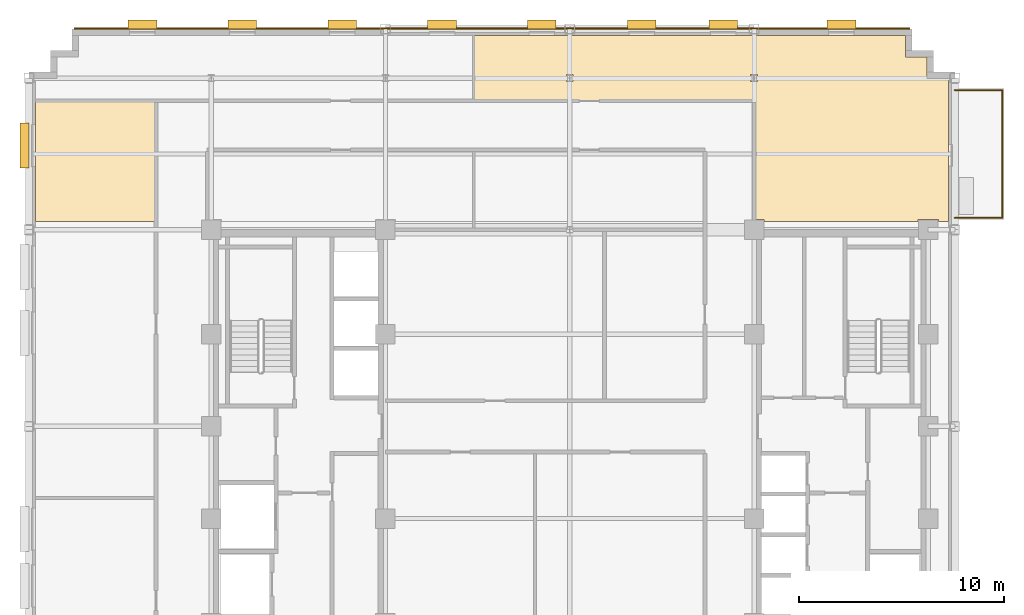
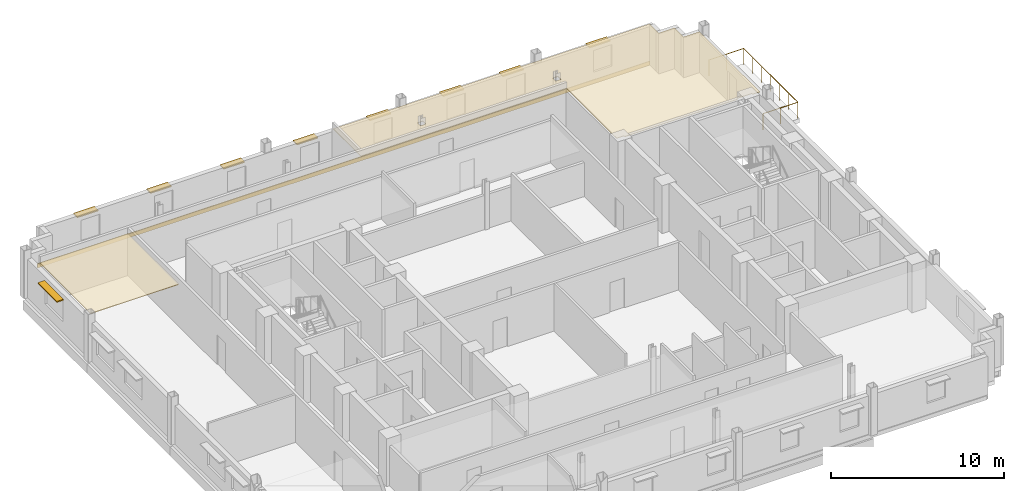
# One storey, part 13 of 13: 9 shading devices, 3 coverings, 1 railing.
"""IFC4 building model written with IfcOpenShell, lengths in metres."""

from ifc_helpers import new_model, si_unit, direction, frame, origin, origin_2d, place, context, subcontext, project, spatial, polyline, rectangle, circle, outline, extrude, source, transform, mapped, material, layer, layer_set, type_object, type_shapes, element, save


model = new_model("IFC4")

# Units and contexts
model_context = context("Model", 3, precision=1e-05, world=origin(), true_north=direction((0.0, 1.0)))
body_context = subcontext(model_context, "Body", "Model", "MODEL_VIEW")
ifc_project = project(units=[si_unit("LENGTHUNIT", "METRE"), si_unit("AREAUNIT", "SQUARE_METRE"), si_unit("VOLUMEUNIT", "CUBIC_METRE"), si_unit("PLANEANGLEUNIT", "RADIAN"), si_unit("MASSUNIT", "GRAM", prefix="KILO")], contexts=[model_context])

# Site, building, storey
site_placement = place(None, origin())
site = spatial("IfcSite", under=ifc_project, at=site_placement, CompositionType="ELEMENT")
building_placement = place(site_placement, origin())
building = spatial("IfcBuilding", under=site, at=building_placement, Name="Nuvemarco Arch Tower", CompositionType="ELEMENT")
storey_placement = place(building_placement, frame((0.0, 0.0, 216.449951171875)))
storey = spatial("IfcBuildingStorey", under=building, at=storey_placement, Name="L57", CompositionType="ELEMENT", Elevation=216.449951171875)

# Coverings
ifc_material_1 = material(Name="Mineral acoustic ceiling tile")
ifc_layer_1 = layer(ifc_material_1, 0.0400390625, Name="COV-ACOUSTIC-CLG")
ifc_layer_set_1 = layer_set([ifc_layer_1], Name="Mineral acoustic ceiling tile")
covering_type_1 = type_object("IfcCoveringType", Name="COV-ACOUSTIC-CLG", PredefinedType="CEILING", material=ifc_layer_set_1)
covering_1_placement = place(storey_placement, frame((0.0, 0.0, 2.85009765625)))
element("IfcCovering", 1, at=covering_1_placement, inside=storey, type_object=covering_type_1, Name="L57 suspended acoustic ceiling 2", PredefinedType="CEILING", context=body_context, shape_type="SweptSolid", body=[
    extrude(outline(polyline([(18.489990234375, 16.989990234375), (18.489990234375, 10.0), (17.989990234375, 10.0), (17.989990234375, 10.090087890625), (17.010009765625, 10.090087890625), (17.010009765625, 10.0), (9.489990234375, 10.0), (9.489990234375, 10.090087890625), (9.0, 10.090087890625), (9.0, 13.5), (9.0, 15.89990234375), (6.60009765625, 15.89990234375), (-4.68994140625, 15.89990234375), (-4.68994140625, 19.090087890625), (16.389892578125, 19.090087890625), (16.389892578125, 18.0400390625), (17.43994140625, 18.0400390625), (17.43994140625, 16.989990234375), (18.489990234375, 16.989990234375)]), holes=[polyline([(0.169921875, 16.830078125), (0.169921875, 17.169921875), (-0.169921875, 17.169921875), (-0.169921875, 16.830078125), (0.169921875, 16.830078125)]), polyline([(9.169921875, 17.169921875), (8.830078125, 17.169921875), (8.830078125, 16.830078125), (9.169921875, 16.830078125), (9.169921875, 17.169921875)])]), origin(), (0.0, 0.0, 1.0), 0.0400390625),
])
covering_2_placement = place(storey_placement, frame((0.0, 0.0, 2.85009765625)))
element("IfcCovering", 2, at=covering_2_placement, inside=storey, type_object=covering_type_1, Name="L57 suspended acoustic ceiling 3", PredefinedType="CEILING", context=body_context, shape_type="SweptSolid", body=[
    extrude(outline(polyline([(-20.199951171875, 10.0), (-26.090087890625, 10.0), (-26.090087890625, 15.89990234375), (-20.199951171875, 15.89990234375), (-20.199951171875, 13.5), (-20.199951171875, 10.0)])), origin(), (0.0, 0.0, 1.0), 0.0400390625),
])

# Railing
ifc_material_2 = material(Name="Dark anodised balustrade steel S355", Category="steel")
railing_type = type_object("IfcRailingType", Name="RL-TERR-GUARD", PredefinedType="BALUSTRADE", material=ifc_material_2)
railing_placement = place(storey_placement, frame((18.800048828125, 10.179931640625, 0.0)))
element("IfcRailing", 3, at=railing_placement, inside=storey, type_object=railing_type, Name="L57 spiral terrace perimeter balustrade guard", PredefinedType="BALUSTRADE", context=body_context, shape_type="SweptSolid", body=[
    extrude(circle(Radius=0.02392578125, at=origin_2d()), frame((0.0, 0.0, 1.1259765625), z_axis=(1.0, 0.0, 0.0), x_axis=(0.0, 1.0, 0.0)), (0.0, 0.0, 1.0), 2.320068359375),
    extrude(circle(Radius=0.02392578125, at=origin_2d()), frame((2.320068359375, 0.0, 1.1259765625), z_axis=(0.0, 1.0, 0.0), x_axis=(-1.0, 0.0, 0.0)), (0.0, 0.0, 1.0), 6.239990234375),
    extrude(circle(Radius=0.02392578125, at=origin_2d()), frame((2.320068359375, 6.239990234375, 1.1259765625), z_axis=(-1.0, 0.0, 0.0), x_axis=(0.0, -1.0, 0.0)), (0.0, 0.0, 1.0), 2.320068359375),
    extrude(circle(Radius=0.02099609375, at=origin_2d()), origin(), (0.0, 0.0, 1.0), 1.101806640625),
    extrude(circle(Radius=0.02099609375, at=origin_2d()), frame((1.16015625, 0.0, 0.0)), (0.0, 0.0, 1.0), 1.101806640625),
    extrude(circle(Radius=0.02099609375, at=origin_2d()), frame((2.320068359375, 0.0, 0.0)), (0.0, 0.0, 1.0), 1.101806640625),
    extrude(circle(Radius=0.02099609375, at=origin_2d()), frame((2.320068359375, 1.0400390625, 0.0)), (0.0, 0.0, 1.0), 1.101806640625),
    extrude(circle(Radius=0.02099609375, at=origin_2d()), frame((2.320068359375, 2.080078125, 0.0)), (0.0, 0.0, 1.0), 1.101806640625),
    extrude(circle(Radius=0.02099609375, at=origin_2d()), frame((2.320068359375, 3.1201171875, 0.0)), (0.0, 0.0, 1.0), 1.101806640625),
    extrude(circle(Radius=0.02099609375, at=origin_2d()), frame((2.320068359375, 4.159912109375, 0.0)), (0.0, 0.0, 1.0), 1.101806640625),
    extrude(circle(Radius=0.02099609375, at=origin_2d()), frame((2.320068359375, 5.199951171875, 0.0)), (0.0, 0.0, 1.0), 1.101806640625),
    extrude(circle(Radius=0.02099609375, at=origin_2d()), frame((2.320068359375, 6.239990234375, 0.0)), (0.0, 0.0, 1.0), 1.101806640625),
    extrude(circle(Radius=0.02099609375, at=origin_2d()), frame((1.16015625, 6.239990234375, 0.0)), (0.0, 0.0, 1.0), 1.101806640625),
    extrude(circle(Radius=0.02099609375, at=origin_2d()), frame((0.0, 6.239990234375, 0.0)), (0.0, 0.0, 1.0), 1.101806640625),
])

# Shading devices
ifc_material_3 = material(Name="Anodised aluminium 6063-T6", Category="aluminium")
shading_device_type_1 = type_object("IfcShadingDeviceType", Name="SHD-BRISE-SOLEIL", PredefinedType="USERDEFINED", material=ifc_material_3)
shared_shape_1 = source(origin(), body_context, "Body", "SweptSolid", [
    extrude(rectangle(XDim=2.199951171875, YDim=0.449951171875, at=origin_2d()), origin(), (0.0, 0.0, 1.0), 0.080078125),
])
type_shapes(shading_device_type_1, [shared_shape_1])
shading_device_placement = place(storey_placement, frame((-26.614990234375, 13.708984375, 2.324951171875), z_axis=(0.0, 0.0, 1.0), x_axis=(0.0, 1.0, 0.0)))
element("IfcShadingDevice", 4, at=shading_device_placement, inside=storey, type_object=shading_device_type_1, Name="L57 horizontal brise-soleil sunshade", ObjectType="SUNSHADE", PredefinedType="USERDEFINED", context=body_context, shape_type="MappedRepresentation", body=[
    mapped(shared_shape_1, transform((0.0, 0.0, 0.0), scale=1.0)),
])
shading_device_type_2 = type_object("IfcShadingDeviceType", Name="SHD-BRISE-NARROW", PredefinedType="USERDEFINED", material=ifc_material_3)
shared_shape_2 = source(origin(), body_context, "Body", "SweptSolid", [
    extrude(rectangle(XDim=1.39990234375, YDim=0.449951171875, at=origin_2d()), origin(), (0.0, 0.0, 1.0), 0.080078125),
])
type_shapes(shading_device_type_2, [shared_shape_2])
for number, where, z_axis, x_axis, name in (
    (5, (-20.862548828125, 19.614990234375, 2.324951171875), (0.0, 0.0, 1.0), (1.0, 0.0, 0.0), "L57 horizontal brise-soleil sunshade"),
    (6, (-15.987548828125, 19.614990234375, 2.324951171875), (0.0, 0.0, 1.0), (1.0, 0.0, 0.0), "L57 horizontal brise-soleil sunshade"),
    (7, (-11.112548828125, 19.614990234375, 2.324951171875), (0.0, 0.0, 1.0), (1.0, 0.0, 0.0), "L57 horizontal brise-soleil sunshade"),
    (8, (-6.237548828125, 19.614990234375, 2.324951171875), (0.0, 0.0, 1.0), (1.0, 0.0, 0.0), "L57 horizontal brise-soleil sunshade"),
    (9, (-1.362548828125, 19.614990234375, 2.324951171875), (0.0, 0.0, 1.0), (1.0, 0.0, 0.0), "L57 horizontal brise-soleil sunshade"),
    (10, (3.512451171875, 19.614990234375, 2.324951171875), (0.0, 0.0, 1.0), (1.0, 0.0, 0.0), "L57 horizontal brise-soleil sunshade"),
    (11, (7.487548828125, 19.614990234375, 2.324951171875), (0.0, 0.0, 1.0), (1.0, 0.0, 0.0), "L57 horizontal brise-soleil sunshade"),
    (12, (13.262451171875, 19.614990234375, 2.324951171875), (0.0, 0.0, 1.0), (1.0, 0.0, 0.0), "L57 horizontal brise-soleil sunshade"),
):
    element("IfcShadingDevice", number, at=place(storey_placement, frame(where, z_axis=z_axis, x_axis=x_axis)), inside=storey, type_object=shading_device_type_2, Name=name, ObjectType="SUNSHADE", PredefinedType="USERDEFINED", context=body_context, shape_type="MappedRepresentation", body=[
        mapped(shared_shape_2, transform((0.0, 0.0, 0.0), scale=1.0)),
    ])

# Covering
ifc_material_4 = material(Name="Precast concrete C45/55", Category="concrete")
ifc_layer_2 = layer(ifc_material_4, 0.06005859375, Name="COV-SPANDREL-CLAD")
ifc_layer_set_2 = layer_set([ifc_layer_2], Name="Precast concrete C45/55")
covering_type_2 = type_object("IfcCoveringType", Name="COV-SPANDREL-CLAD", PredefinedType="CLADDING", material=ifc_layer_set_2)
shared_shape_3 = source(origin(), body_context, "Body", "SweptSolid", [
    extrude(rectangle(XDim=40.800048828125, YDim=0.06005859375, at=origin_2d()), origin(), (0.0, 0.0, 1.0), 0.280029296875),
])
type_shapes(covering_type_2, [shared_shape_3])
covering_3_placement = place(storey_placement, frame((-3.800048828125, 19.428955078125, -0.27978515625), z_axis=(0.0, 0.0, 1.0), x_axis=(1.0, 0.0, 0.0)))
element("IfcCovering", 13, at=covering_3_placement, inside=storey, type_object=covering_type_2, Name="L57 precast spandrel edge cladding north", PredefinedType="CLADDING", context=body_context, shape_type="MappedRepresentation", body=[
    mapped(shared_shape_3, transform((0.0, 0.0, 0.0), scale=1.0)),
])

save(model, "model.ifc")
